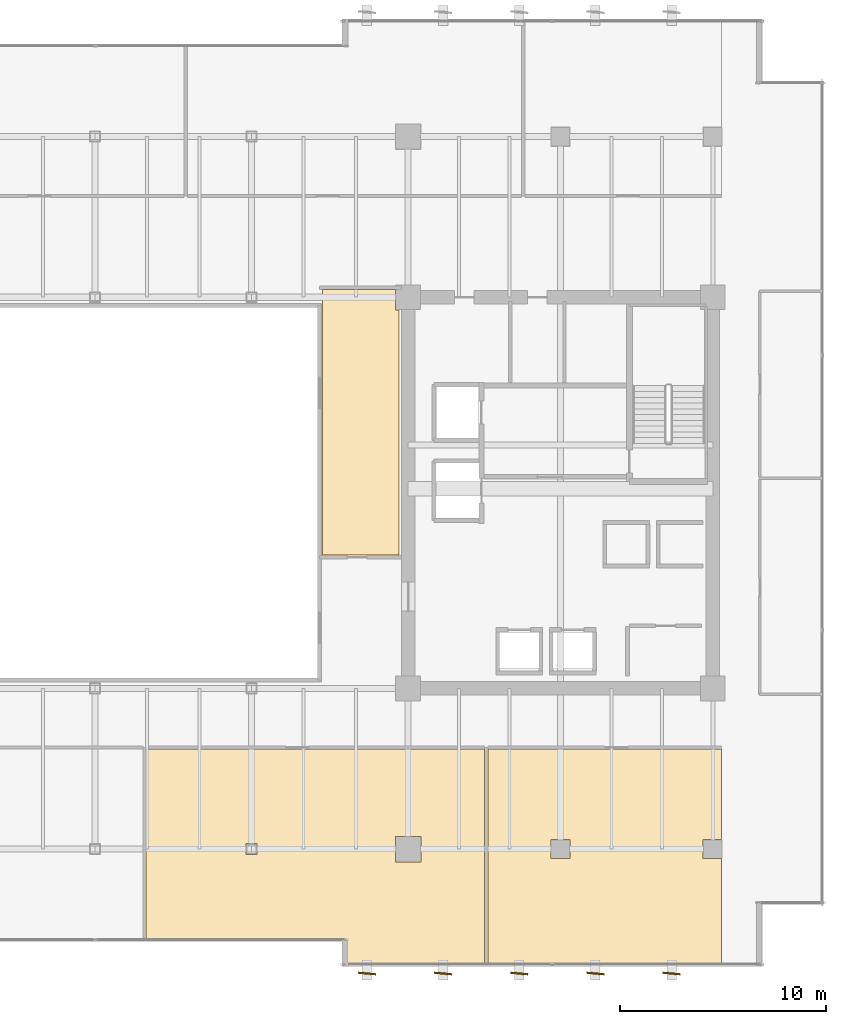
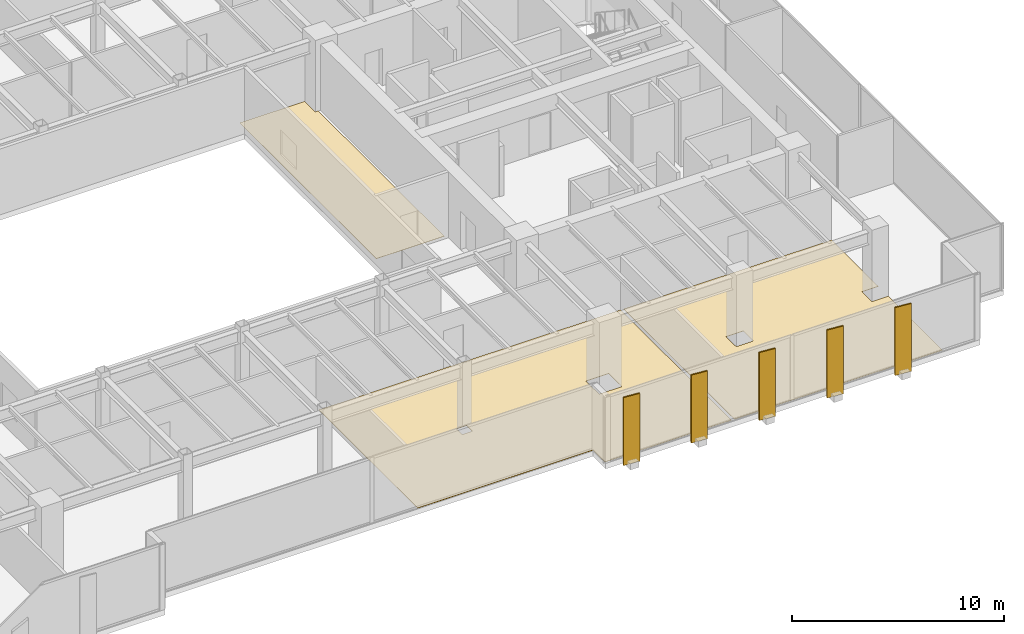
# One storey, part 32 of 34: 5 shading devices, 3 coverings.
"""IFC4 building model written with IfcOpenShell, lengths in metres."""

from ifc_helpers import new_model, si_unit, direction, frame, origin, origin_2d, place, context, subcontext, project, spatial, polyline, rectangle, outline, extrude, source, transform, mapped, material, layer, layer_set, material_profile, profile_set, type_object, type_shapes, element, save


model = new_model("IFC4")

# Units and contexts
model_context = context("Model", 3, precision=1e-05, world=origin(), true_north=direction((0.0, 1.0)))
body_context = subcontext(model_context, "Body", "Model", "MODEL_VIEW")
ifc_project = project(units=[si_unit("LENGTHUNIT", "METRE"), si_unit("AREAUNIT", "SQUARE_METRE"), si_unit("VOLUMEUNIT", "CUBIC_METRE"), si_unit("PLANEANGLEUNIT", "RADIAN"), si_unit("MASSUNIT", "GRAM", prefix="KILO")], contexts=[model_context])

# Site, building, storey
site_placement = place(None, origin())
site = spatial("IfcSite", under=ifc_project, at=site_placement, CompositionType="ELEMENT")
building_placement = place(site_placement, origin())
building = spatial("IfcBuilding", under=site, at=building_placement, Name="Haelvirn Gate Laboratories", CompositionType="ELEMENT")
storey_placement = place(building_placement, frame((0.0, 0.0, 109.199951171875)))
storey = spatial("IfcBuildingStorey", under=building, at=storey_placement, Name="L26", CompositionType="ELEMENT", Elevation=109.199951171875)

# Coverings
ifc_material_1 = material(Name="Seamless chemical-resistant epoxy laboratory flooring")
ifc_layer = layer(ifc_material_1, 0.01806640625, Name="COV-FLR-RESIN")
ifc_layer_set = layer_set([ifc_layer], Name="Seamless chemical-resistant epoxy laboratory flooring")
covering_type = type_object("IfcCoveringType", Name="COV-FLR-RESIN", PredefinedType="FLOORING", material=ifc_layer_set)
covering_1_placement = place(storey_placement, origin())
element("IfcCovering", 1, at=covering_1_placement, inside=storey, type_object=covering_type, Name="L26 Seamless Laboratory Flooring FLR-SP-L26-ATRIUM-SEM", PredefinedType="FLOORING", context=body_context, shape_type="SweptSolid", body=[
    extrude(outline(polyline([(51.97998046875, 34.179931640625), (51.97998046875, 33.179931640625), (52.14990234375, 33.179931640625), (52.14990234375, 21.280029296875), (48.449951171875, 21.280029296875), (48.449951171875, 34.179931640625), (51.97998046875, 34.179931640625)])), origin(), (0.0, 0.0, 1.0), 0.01806640625),
])
covering_2_placement = place(storey_placement, origin())
element("IfcCovering", 2, at=covering_2_placement, inside=storey, type_object=covering_type, Name="L26 Seamless Laboratory Flooring FLR-SP-L26-S-03", PredefinedType="FLOORING", context=body_context, shape_type="SweptSolid", body=[
    extrude(outline(polyline([(49.43994140625, 1.409912109375), (49.43994140625, 2.5), (49.439697265625, 2.50390625), (49.439208984375, 2.5078125), (49.438232421875, 2.51171875), (49.43701171875, 2.515380859375), (49.435302734375, 2.518798828125), (49.433349609375, 2.522216796875), (49.430908203125, 2.525390625), (49.42822265625, 2.5283203125), (49.42529296875, 2.531005859375), (49.422119140625, 2.533203125), (49.4189453125, 2.535400390625), (49.415283203125, 2.537109375), (49.41162109375, 2.538330078125), (49.40771484375, 2.539306640625), (49.40380859375, 2.539794921875), (49.39990234375, 2.5400390625), (39.8798828125, 2.5400390625), (39.8798828125, 11.8701171875), (56.320068359375, 11.8701171875), (56.320068359375, 1.409912109375), (49.43994140625, 1.409912109375)]), holes=[polyline([(51.97998046875, 6.3798828125), (53.219970703125, 6.3798828125), (53.219970703125, 7.6201171875), (51.97998046875, 7.6201171875), (51.97998046875, 6.3798828125)]), polyline([(44.72998046875, 7.27001953125), (44.72998046875, 6.72998046875), (45.27001953125, 6.72998046875), (45.27001953125, 7.27001953125), (44.72998046875, 7.27001953125)])]), origin(), (0.0, 0.0, 1.0), 0.01806640625),
])
covering_3_placement = place(storey_placement, origin())
element("IfcCovering", 3, at=covering_3_placement, inside=storey, type_object=covering_type, Name="L26 Seamless Laboratory Flooring FLR-SP-L26-S-04", PredefinedType="FLOORING", context=body_context, shape_type="SweptSolid", body=[
    extrude(outline(polyline([(67.820068359375, 7.469970703125), (66.929931640625, 7.469970703125), (66.929931640625, 6.530029296875), (67.820068359375, 6.530029296875), (67.820068359375, 1.409912109375), (56.47998046875, 1.409912109375), (56.47998046875, 11.8701171875), (67.820068359375, 11.8701171875), (67.820068359375, 7.469970703125)]), holes=[polyline([(59.530029296875, 6.530029296875), (60.469970703125, 6.530029296875), (60.469970703125, 7.469970703125), (59.530029296875, 7.469970703125), (59.530029296875, 6.530029296875)])]), origin(), (0.0, 0.0, 1.0), 0.01806640625),
])

# Shading devices
ifc_material_2 = material(Name="Extruded aluminium 6063-T6 (anodised bronze)", Category="aluminium")
ifc_material_profile = material_profile(ifc_material_2, rectangle(XDim=0.074951171875, YDim=0.85009765625, at=origin_2d()), Name="FIN-850x75")
ifc_profile_set = profile_set([ifc_material_profile], Name="Extruded aluminium 6063-T6 (anodised bronze)")
shading_device_type = type_object("IfcShadingDeviceType", Name="SHD-FIN-850", PredefinedType="USERDEFINED", material=ifc_profile_set)
shared_shape = source(origin(), body_context, "Body", "SweptSolid", [
    extrude(rectangle(XDim=0.074951171875, YDim=0.85009765625, at=origin_2d()), origin(), (0.0, 0.0, 1.0), 3.909912109375),
])
type_shapes(shading_device_type, [shared_shape])
for number, where, z_axis, x_axis, name in (
    (4, (50.60009765625, 0.955078125, -0.179931640625), (0.0, 0.0, 1.0), (0.090632580198, 0.995884398616, 0.0), "L26 Fluted Bronze Vertical Fin S06"),
    (5, (54.300048828125, 0.955078125, -0.179931640625), (0.0, 0.0, 1.0), (0.090632580198, 0.995884398616, 0.0), "L26 Fluted Bronze Vertical Fin S07"),
    (6, (58.0, 0.955078125, -0.179931640625), (0.0, 0.0, 1.0), (0.090632580198, 0.995884398616, 0.0), "L26 Fluted Bronze Vertical Fin S08"),
    (7, (61.699951171875, 0.955078125, -0.179931640625), (0.0, 0.0, 1.0), (0.090632580198, 0.995884398616, 0.0), "L26 Fluted Bronze Vertical Fin S09"),
    (8, (65.39990234375, 0.955078125, -0.179931640625), (0.0, 0.0, 1.0), (0.090632580198, 0.995884398616, 0.0), "L26 Fluted Bronze Vertical Fin S10"),
):
    element("IfcShadingDevice", number, at=place(storey_placement, frame(where, z_axis=z_axis, x_axis=x_axis)), inside=storey, type_object=shading_device_type, Name=name, ObjectType="FIN", PredefinedType="USERDEFINED", context=body_context, shape_type="MappedRepresentation", body=[
        mapped(shared_shape, transform((0.0, 0.0, 0.0), scale=1.0)),
    ])

save(model, "model.ifc")
